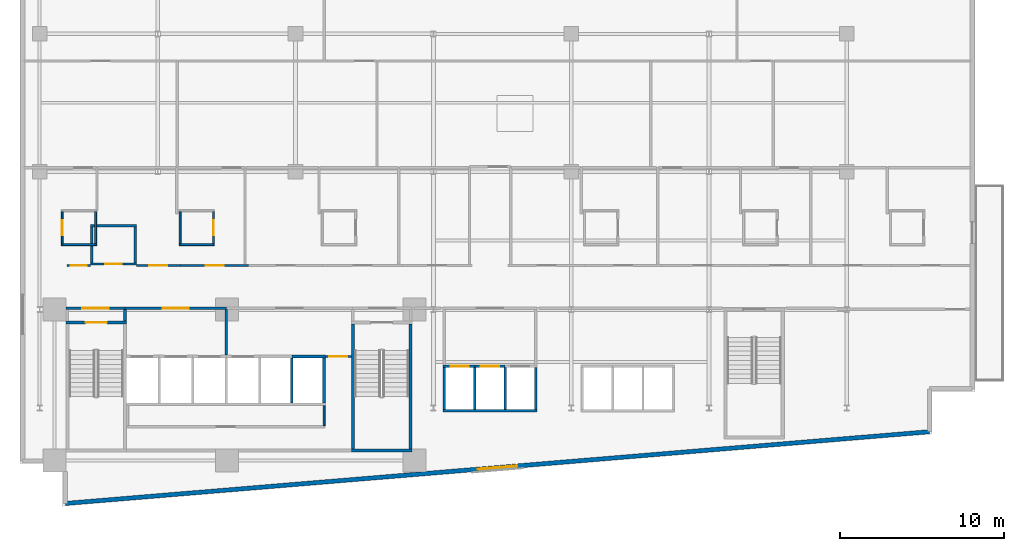
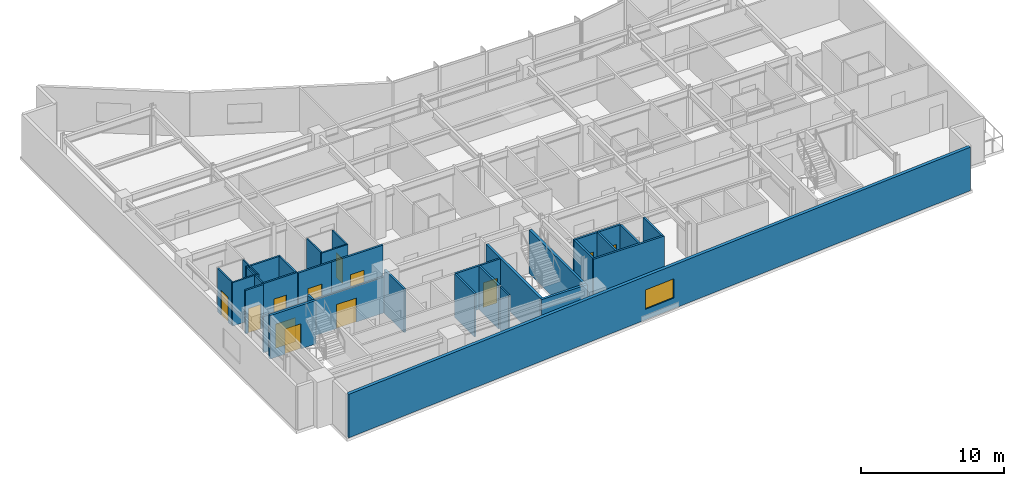
# One storey, part 10 of 19: 34 walls, 12 doors, 1 window, 13 openings.
"""IFC4 building model written with IfcOpenShell, lengths in metres."""

from ifc_helpers import new_model, si_unit, direction, frame, frame_2d, origin, place, context, subcontext, project, spatial, rectangle, extrude, material, layer, layer_set, type_object, element, fill, save


model = new_model("IFC4")

# Units and contexts
model_context = context("Model", 3, precision=1e-05, world=origin(), true_north=direction((0.0, 1.0)))
body_context = subcontext(model_context, "Body", "Model", "MODEL_VIEW")
ifc_project = project(units=[si_unit("LENGTHUNIT", "METRE"), si_unit("AREAUNIT", "SQUARE_METRE"), si_unit("VOLUMEUNIT", "CUBIC_METRE"), si_unit("PLANEANGLEUNIT", "RADIAN"), si_unit("MASSUNIT", "GRAM", prefix="KILO")], contexts=[model_context])

# Site, building, storey
site_placement = place(None, origin())
site = spatial("IfcSite", under=ifc_project, at=site_placement, CompositionType="ELEMENT")
building_placement = place(site_placement, origin())
building = spatial("IfcBuilding", under=site, at=building_placement, Name="Varnakote Quay Hospital", CompositionType="ELEMENT")
storey_placement = place(building_placement, frame((0.0, 0.0, 89.64990234375)))
storey = spatial("IfcBuildingStorey", under=building, at=storey_placement, Name="L22", CompositionType="ELEMENT", Elevation=89.64990234375)

# Wall, opening, door
ifc_material_1 = material(Name="Fire-rated acoustic gypsum stud wall", Category="gypsum")
ifc_layer_1 = layer(ifc_material_1, 0.159912109375)
ifc_layer_set_1 = layer_set([ifc_layer_1], Name="Fire-rated acoustic gypsum stud wall")
wall_type_1 = type_object("IfcWallType", Name="WL-COMP-160", PredefinedType="PARTITIONING", material=ifc_layer_set_1)
wall_1_placement = place(storey_placement, frame((2.800048828125, 12.080078125, 0.0), z_axis=(0.0, 0.0, 1.0), x_axis=(1.0, 0.0, 0.0)))
wall_1 = element("IfcWall", 1, at=wall_1_placement, inside=storey, type_object=wall_type_1, Name="L22 West Stair Vestibule Smoke Wall", PredefinedType="PARTITIONING", context=body_context, shape_type="SweptSolid", body=[
    extrude(rectangle(XDim=3.599853515625, YDim=0.159912109375, at=frame_2d((1.7998046875, 0.0))), origin(), (0.0, 0.0, 1.0), 3.072998046875),
])
opening_1_placement = place(wall_1_placement, frame((1.0, 0.0, 0.0)))
opening_1 = element("IfcOpeningElement", 2, at=opening_1_placement, cuts=wall_1, Name="Opening D-ST1L-L22", PredefinedType="OPENING", context=body_context, shape_type="SweptSolid", body=[
    extrude(rectangle(XDim=1.60009765625, YDim=2.050048828125, at=frame_2d((0.800048828125, 1.02490234375))), frame((0.0, 0.08984375, 0.0), z_axis=(0.0, -1.0, 0.0), x_axis=(1.0, 0.0, 0.0)), (0.0, 0.0, 1.0), 0.179931640625),
])
ifc_material_2 = material(Name="Fire-rated double smoke lobby door")
door_type_1 = type_object("IfcDoorType", Name="DR-LOBBY-FD60S-1600x2150", OperationType="NOTDEFINED", PredefinedType="DOOR", material=ifc_material_2)
door_1_placement = place(opening_1_placement, origin())
door_1 = element("IfcDoor", 3, at=door_1_placement, inside=storey, type_object=door_type_1, Name="L22 West Stair Vestibule Smoke Door", OperationType="DOUBLE_DOOR_SINGLE_SWING", OverallHeight=2.050048828125, OverallWidth=1.60009765625, PredefinedType="DOOR", context=body_context, shape_type="SweptSolid", body=[
    extrude(rectangle(XDim=1.60009765625, YDim=2.050048828125, at=frame_2d((0.800048828125, 1.02490234375))), frame((0.0, 0.02490234375, 0.0), z_axis=(0.0, -1.0, 0.0), x_axis=(1.0, 0.0, 0.0)), (0.0, 0.0, 1.0), 0.050048828125),
])
fill(opening_1, door_1)

# Wall
wall_2_placement = place(storey_placement, frame((6.39990234375, 11.300048828125, 0.0), z_axis=(0.0, 0.0, 1.0), x_axis=(0.0, 1.0, 0.0)))
element("IfcWall", 4, at=wall_2_placement, inside=storey, type_object=wall_type_1, Name="L22 Firefighting Lobby West Wall", PredefinedType="PARTITIONING", context=body_context, shape_type="SweptSolid", body=[
    extrude(rectangle(XDim=0.699951171875, YDim=0.159912109375, at=frame_2d((0.35009765625, 0.0))), origin(), (0.0, 0.0, 1.0), 3.710205078125),
])

# Wall, opening, door
wall_3_placement = place(storey_placement, frame((6.39990234375, 12.080078125, 0.0), z_axis=(0.0, 0.0, 1.0), x_axis=(1.0, 0.0, 0.0)))
wall_3 = element("IfcWall", 5, at=wall_3_placement, inside=storey, type_object=wall_type_1, Name="L22 Firefighting Lift Lobby Compartment Wall", PredefinedType="PARTITIONING", context=body_context, shape_type="SweptSolid", body=[
    extrude(rectangle(XDim=6.18017578125, YDim=0.159912109375, at=frame_2d((3.090087890625, 0.0))), origin(), (0.0, 0.0, 1.0), 3.072998046875),
])
opening_2_placement = place(wall_3_placement, frame((2.2900390625, 0.0, 0.0)))
opening_2 = element("IfcOpeningElement", 6, at=opening_2_placement, cuts=wall_3, Name="Opening D-FFL-L22", PredefinedType="OPENING", context=body_context, shape_type="SweptSolid", body=[
    extrude(rectangle(XDim=1.60009765625, YDim=2.050048828125, at=frame_2d((0.800048828125, 1.02490234375))), frame((0.0, 0.08984375, 0.0), z_axis=(0.0, -1.0, 0.0), x_axis=(1.0, 0.0, 0.0)), (0.0, 0.0, 1.0), 0.179931640625),
])
door_2_placement = place(opening_2_placement, origin())
door_2 = element("IfcDoor", 7, at=door_2_placement, inside=storey, type_object=door_type_1, Name="L22 Firefighting Smoke Vestibule Door", OperationType="DOUBLE_DOOR_SINGLE_SWING", OverallHeight=2.050048828125, OverallWidth=1.60009765625, PredefinedType="DOOR", context=body_context, shape_type="SweptSolid", body=[
    extrude(rectangle(XDim=1.60009765625, YDim=2.050048828125, at=frame_2d((0.800048828125, 1.02490234375))), frame((0.0, 0.02490234375, 0.0), z_axis=(0.0, -1.0, 0.0), x_axis=(1.0, 0.0, 0.0)), (0.0, 0.0, 1.0), 0.050048828125),
])
fill(opening_2, door_2)

# Walls
wall_4_placement = place(storey_placement, frame((12.580078125, 9.2099609375, 0.0), z_axis=(0.0, 0.0, 1.0), x_axis=(0.0, 1.0, 0.0)))
element("IfcWall", 8, at=wall_4_placement, inside=storey, type_object=wall_type_1, Name="L22 Firefighting to Service Lobby Wall", PredefinedType="PARTITIONING", context=body_context, shape_type="SweptSolid", body=[
    extrude(rectangle(XDim=2.7900390625, YDim=0.159912109375, at=frame_2d((1.39501953125, 0.0))), origin(), (0.0, 0.0, 1.0), 3.710205078125),
])
ifc_material_3 = material(Name="Moisture-resistant bathroom partition", Category="gypsum")
ifc_layer_2 = layer(ifc_material_3, 0.114990234375)
ifc_layer_set_2 = layer_set([ifc_layer_2], Name="Moisture-resistant bathroom partition")
wall_type_2 = type_object("IfcWallType", Name="WL-ENS-115", PredefinedType="PARTITIONING", material=ifc_layer_set_2)
wall_5_placement = place(storey_placement, frame((2.514892578125, 15.952392578125, 0.0), z_axis=(0.0, 0.0, 1.0), x_axis=(1.0, 0.0, 0.0)))
element("IfcWall", 9, at=wall_5_placement, inside=storey, type_object=wall_type_2, Name="L22 Inpatient En-Suite Bathroom 01 S Wall", PredefinedType="PARTITIONING", context=body_context, shape_type="SweptSolid", body=[
    extrude(rectangle(XDim=2.150146484375, YDim=0.114990234375, at=frame_2d((1.0751953125, 0.0))), origin(), (0.0, 0.0, 1.0), 3.710205078125),
])

# Wall, opening, door
wall_6_placement = place(storey_placement, frame((2.572509765625, 16.010009765625, 0.0), z_axis=(0.0, 0.0, 1.0), x_axis=(0.0, 1.0, 0.0)))
wall_6 = element("IfcWall", 10, at=wall_6_placement, inside=storey, type_object=wall_type_2, Name="L22 Inpatient En-Suite Bathroom 01 W Wall", PredefinedType="PARTITIONING", context=body_context, shape_type="SweptSolid", body=[
    extrude(rectangle(XDim=1.949951171875, YDim=0.114990234375, at=frame_2d((0.97509765625, 0.0))), origin(), (0.0, 0.0, 1.0), 3.710205078125),
])
opening_3_placement = place(wall_6_placement, frame((0.514892578125, 0.0, 0.0)))
opening_3 = element("IfcOpeningElement", 11, at=opening_3_placement, cuts=wall_6, Name="Opening D-L22-ENS01", PredefinedType="OPENING", context=body_context, shape_type="SweptSolid", body=[
    extrude(rectangle(XDim=0.919921875, YDim=2.10009765625, at=frame_2d((0.4599609375, 1.050048828125))), frame((0.0, 0.0673828125, 0.0), z_axis=(0.0, -1.0, 0.0), x_axis=(1.0, 0.0, 0.0)), (0.0, 0.0, 1.0), 0.135009765625),
])
ifc_material_4 = material(Name="Moisture-sealed en-suite bathroom door")
door_type_2 = type_object("IfcDoorType", Name="DR-ENS-920x2100", OperationType="NOTDEFINED", PredefinedType="DOOR", material=ifc_material_4)
door_3_placement = place(opening_3_placement, origin())
door_3 = element("IfcDoor", 12, at=door_3_placement, inside=storey, type_object=door_type_2, Name="L22 Inpatient En-Suite Bathroom 01 Door", OperationType="SINGLE_SWING_LEFT", OverallHeight=2.10009765625, OverallWidth=0.919921875, PredefinedType="DOOR", context=body_context, shape_type="SweptSolid", body=[
    extrude(rectangle(XDim=0.919921875, YDim=2.10009765625, at=frame_2d((0.4599609375, 1.050048828125))), frame((0.0, 0.02490234375, 0.0), z_axis=(0.0, -1.0, 0.0), x_axis=(1.0, 0.0, 0.0)), (0.0, 0.0, 1.0), 0.050048828125),
])
fill(opening_3, door_3)

# Walls
wall_7_placement = place(storey_placement, frame((4.607421875, 16.010009765625, 0.0), z_axis=(0.0, 0.0, 1.0), x_axis=(0.0, 1.0, 0.0)))
element("IfcWall", 13, at=wall_7_placement, inside=storey, type_object=wall_type_2, Name="L22 Inpatient En-Suite Bathroom 01 E Wall", PredefinedType="PARTITIONING", context=body_context, shape_type="SweptSolid", body=[
    extrude(rectangle(XDim=1.949951171875, YDim=0.114990234375, at=frame_2d((0.97509765625, 0.0))), origin(), (0.0, 0.0, 1.0), 3.710205078125),
])
wall_8_placement = place(storey_placement, frame((9.705078125, 15.952392578125, 0.0), z_axis=(0.0, 0.0, 1.0), x_axis=(1.0, 0.0, 0.0)))
element("IfcWall", 14, at=wall_8_placement, inside=storey, type_object=wall_type_2, Name="L22 Inpatient En-Suite Bathroom 02 S Wall", PredefinedType="PARTITIONING", context=body_context, shape_type="SweptSolid", body=[
    extrude(rectangle(XDim=2.14990234375, YDim=0.114990234375, at=frame_2d((1.074951171875, 0.0))), origin(), (0.0, 0.0, 1.0), 3.710205078125),
])
wall_9_placement = place(storey_placement, frame((9.762451171875, 16.010009765625, 0.0), z_axis=(0.0, 0.0, 1.0), x_axis=(0.0, 1.0, 0.0)))
element("IfcWall", 15, at=wall_9_placement, inside=storey, type_object=wall_type_2, Name="L22 Inpatient En-Suite Bathroom 02 W Wall", PredefinedType="PARTITIONING", context=body_context, shape_type="SweptSolid", body=[
    extrude(rectangle(XDim=1.949951171875, YDim=0.114990234375, at=frame_2d((0.97509765625, 0.0))), origin(), (0.0, 0.0, 1.0), 3.710205078125),
])

# Wall, opening, door
wall_10_placement = place(storey_placement, frame((11.797607421875, 16.010009765625, 0.0), z_axis=(0.0, 0.0, 1.0), x_axis=(0.0, 1.0, 0.0)))
wall_10 = element("IfcWall", 16, at=wall_10_placement, inside=storey, type_object=wall_type_2, Name="L22 Inpatient En-Suite Bathroom 02 E Wall", PredefinedType="PARTITIONING", context=body_context, shape_type="SweptSolid", body=[
    extrude(rectangle(XDim=1.949951171875, YDim=0.114990234375, at=frame_2d((0.97509765625, 0.0))), origin(), (0.0, 0.0, 1.0), 3.710205078125),
])
opening_4_placement = place(wall_10_placement, frame((0.514892578125, 0.0, 0.0)))
opening_4 = element("IfcOpeningElement", 17, at=opening_4_placement, cuts=wall_10, Name="Opening D-L22-ENS02", PredefinedType="OPENING", context=body_context, shape_type="SweptSolid", body=[
    extrude(rectangle(XDim=0.919921875, YDim=2.10009765625, at=frame_2d((0.4599609375, 1.050048828125))), frame((0.0, 0.0673828125, 0.0), z_axis=(0.0, -1.0, 0.0), x_axis=(1.0, 0.0, 0.0)), (0.0, 0.0, 1.0), 0.135009765625),
])
door_4_placement = place(opening_4_placement, origin())
door_4 = element("IfcDoor", 18, at=door_4_placement, inside=storey, type_object=door_type_2, Name="L22 Inpatient En-Suite Bathroom 02 Door", OperationType="SINGLE_SWING_RIGHT", OverallHeight=2.10009765625, OverallWidth=0.919921875, PredefinedType="DOOR", context=body_context, shape_type="SweptSolid", body=[
    extrude(rectangle(XDim=0.919921875, YDim=2.10009765625, at=frame_2d((0.4599609375, 1.050048828125))), frame((0.0, 0.02490234375, 0.0), z_axis=(0.0, -1.0, 0.0), x_axis=(1.0, 0.0, 0.0)), (0.0, 0.0, 1.0), 0.050048828125),
])
fill(opening_4, door_4)

# Wall, opening, window
ifc_material_5 = material(Name="Precast concrete N50 (f'c 50 MPa)", Category="concrete")
ifc_layer_3 = layer(ifc_material_5, 0.260009765625)
ifc_layer_set_3 = layer_set([ifc_layer_3], Name="Precast concrete N50 (f'c 50 MPa)")
wall_type_3 = type_object("IfcWallType", Name="WL-EXT-BRICK-260", PredefinedType="STANDARD", material=ifc_layer_set_3)
wall_11_placement = place(storey_placement, frame((2.760009765625, 0.173828125, 0.0), z_axis=(0.0, 0.0, 1.0), x_axis=(0.996571478456, 0.082736257641, 0.0)))
wall_11 = element("IfcWall", 19, at=wall_11_placement, inside=storey, type_object=wall_type_3, Name="L22 Brick-Faced Precast Exterior Wall", PredefinedType="STANDARD", context=body_context, shape_type="SweptSolid", body=[
    extrude(rectangle(XDim=52.861083984375, YDim=0.260009765625, at=frame_2d((26.4306640625, 0.0))), origin(), (0.0, 0.0, 1.0), 3.710205078125),
])
opening_5_placement = place(wall_11_placement, frame((25.230712890625, 0.0, 0.89990234375)))
opening_5 = element("IfcOpeningElement", 20, at=opening_5_placement, cuts=wall_11, Name="Opening WN-0102", PredefinedType="OPENING", context=body_context, shape_type="SweptSolid", body=[
    extrude(rectangle(XDim=2.39990234375, YDim=1.64990234375, at=frame_2d((1.199951171875, 0.824951171875))), frame((0.0, 0.139892578125, 0.0), z_axis=(0.0, -1.0, 0.0), x_axis=(1.0, 0.0, 0.0)), (0.0, 0.0, 1.0), 0.280029296875),
])
ifc_material_6 = material(Name="Double-glazed low-E solar glass", Category="glass")
window_type = type_object("IfcWindowType", Name="WIN-CLIN-2400x1650", PartitioningType="SINGLE_PANEL", PredefinedType="WINDOW", material=ifc_material_6)
window_placement = place(opening_5_placement, origin())
window = element("IfcWindow", 21, at=window_placement, inside=storey, type_object=window_type, Name="L22 Solar-Control Clinical Window", OverallHeight=1.64990234375, OverallWidth=2.39990234375, PartitioningType="SINGLE_PANEL", PredefinedType="WINDOW", context=body_context, shape_type="SweptSolid", body=[
    extrude(rectangle(XDim=2.39990234375, YDim=1.64990234375, at=frame_2d((1.199951171875, 0.824951171875))), frame((0.0, 0.030029296875, 0.0), z_axis=(0.0, -1.0, 0.0), x_axis=(1.0, 0.0, 0.0)), (0.0, 0.0, 1.0), 0.06005859375),
])
fill(opening_5, window)

# Walls
ifc_material_7 = material(Name="Concrete N50 (f'c 50 MPa)", Category="concrete")
ifc_layer_4 = layer(ifc_material_7, 0.14990234375)
ifc_layer_set_4 = layer_set([ifc_layer_4], Name="Concrete N50 (f'c 50 MPa)")
wall_type_4 = type_object("IfcWallType", Name="WL-SHAFT-N50-150", PredefinedType="SHEAR", material=ifc_layer_set_4)
wall_12_placement = place(storey_placement, frame((16.574951171875, 6.300048828125, 0.0), z_axis=(0.0, 0.0, 1.0), x_axis=(0.0, 1.0, 0.0)))
element("IfcWall", 22, at=wall_12_placement, inside=storey, type_object=wall_type_4, Name="L22 LF-PH1 Hoistway Divider Wall", PredefinedType="SHEAR", context=body_context, shape_type="SweptSolid", body=[
    extrude(rectangle(XDim=2.75, YDim=0.14990234375, at=frame_2d((1.375, 0.0))), origin(), (0.0, 0.0, 1.0), 3.710205078125),
])
for number, where, z_axis, x_axis, name in (
    (23, (27.72509765625, 5.89990234375, 0.0), (0.0, 0.0, 1.0), (0.0, 1.0, 0.0), "L22 LF-PL1 Hoistway Divider Wall"),
    (24, (29.574951171875, 5.89990234375, 0.0), (0.0, 0.0, 1.0), (0.0, 1.0, 0.0), "L22 LF-PL2 Hoistway Divider Wall"),
):
    element("IfcWall", number, at=place(storey_placement, frame(where, z_axis=z_axis, x_axis=x_axis)), inside=storey, type_object=wall_type_4, Name=name, PredefinedType="SHEAR", context=body_context, shape_type="SweptSolid", body=[
        extrude(rectangle(XDim=2.550048828125, YDim=0.14990234375, at=frame_2d((1.27490234375, 0.0))), origin(), (0.0, 0.0, 1.0), 3.710205078125),
    ])
ifc_material_8 = material(Name="Concrete N50 (f'c 50 MPa)", Category="concrete")
ifc_layer_5 = layer(ifc_material_8, 0.159912109375)
ifc_layer_set_5 = layer_set([ifc_layer_5], Name="Concrete N50 (f'c 50 MPa)")
wall_type_5 = type_object("IfcWallType", Name="WL-SHAFT-N50-160", PredefinedType="SHEAR", material=ifc_layer_set_5)
wall_13_placement = place(storey_placement, frame((18.530029296875, 6.300048828125, 0.0), z_axis=(0.0, 0.0, 1.0), x_axis=(0.0, 1.0, 0.0)))
element("IfcWall", 25, at=wall_13_placement, inside=storey, type_object=wall_type_5, Name="L22 REAR Lift Bank East Shear Wall", PredefinedType="SHEAR", context=body_context, shape_type="SweptSolid", body=[
    extrude(rectangle(XDim=2.75, YDim=0.159912109375, at=frame_2d((1.375, 0.0))), origin(), (0.0, 0.0, 1.0), 3.710205078125),
])
wall_14_placement = place(storey_placement, frame((16.574951171875, 9.1298828125, 0.0), z_axis=(0.0, 0.0, 1.0), x_axis=(1.0, 0.0, 0.0)))
element("IfcWall", 26, at=wall_14_placement, inside=storey, type_object=wall_type_5, Name="L22 LF-PH2 Hoistway Front Wall", PredefinedType="SHEAR", context=body_context, shape_type="SweptSolid", body=[
    extrude(rectangle(XDim=2.03515625, YDim=0.159912109375, at=frame_2d((1.017578125, 0.0))), origin(), (0.0, 0.0, 1.0), 3.710205078125),
])
wall_15_placement = place(storey_placement, frame((25.7900390625, 5.820068359375, 0.0), z_axis=(0.0, 0.0, 1.0), x_axis=(1.0, 0.0, 0.0)))
element("IfcWall", 27, at=wall_15_placement, inside=storey, type_object=wall_type_5, Name="L22 LOW Lift Bank Back Shear Wall", PredefinedType="SHEAR", context=body_context, shape_type="SweptSolid", body=[
    extrude(rectangle(XDim=5.719970703125, YDim=0.159912109375, at=frame_2d((2.85986328125, 0.0))), origin(), (0.0, 0.0, 1.0), 3.710205078125),
])
for number, where, z_axis, x_axis, name in (
    (28, (25.8701171875, 5.89990234375, 0.0), (0.0, 0.0, 1.0), (0.0, 1.0, 0.0), "L22 LOW Lift Bank West Shear Wall"),
    (29, (31.429931640625, 5.89990234375, 0.0), (0.0, 0.0, 1.0), (0.0, 1.0, 0.0), "L22 LOW Lift Bank East Shear Wall"),
):
    element("IfcWall", number, at=place(storey_placement, frame(where, z_axis=z_axis, x_axis=x_axis)), inside=storey, type_object=wall_type_5, Name=name, PredefinedType="SHEAR", context=body_context, shape_type="SweptSolid", body=[
        extrude(rectangle(XDim=2.550048828125, YDim=0.159912109375, at=frame_2d((1.27490234375, 0.0))), origin(), (0.0, 0.0, 1.0), 3.710205078125),
    ])

# Wall, opening, door
wall_16_placement = place(storey_placement, frame((25.7900390625, 8.530029296875, 0.0), z_axis=(0.0, 0.0, 1.0), x_axis=(1.0, 0.0, 0.0)))
wall_16 = element("IfcWall", 30, at=wall_16_placement, inside=storey, type_object=wall_type_5, Name="L22 LF-PL1 Hoistway Front Wall", PredefinedType="SHEAR", context=body_context, shape_type="SweptSolid", body=[
    extrude(rectangle(XDim=1.93505859375, YDim=0.159912109375, at=frame_2d((0.967529296875, 0.0))), origin(), (0.0, 0.0, 1.0), 3.710205078125),
])
opening_6_placement = place(wall_16_placement, frame((0.4599609375, 0.0, 0.0)))
opening_6 = element("IfcOpeningElement", 31, at=opening_6_placement, cuts=wall_16, Name="Opening LD-PL1-L22", PredefinedType="OPENING", context=body_context, shape_type="SweptSolid", body=[
    extrude(rectangle(XDim=1.10009765625, YDim=2.14990234375, at=frame_2d((0.550048828125, 1.074951171875))), frame((0.0, 0.08984375, 0.0), z_axis=(0.0, -1.0, 0.0), x_axis=(1.0, 0.0, 0.0)), (0.0, 0.0, 1.0), 0.179931640625),
])
ifc_material_9 = material(Name="Brushed bronze lift landing sliding door")
door_type_3 = type_object("IfcDoorType", Name="DR-LIFT-LD-1100x2150", OperationType="NOTDEFINED", PredefinedType="DOOR", material=ifc_material_9)
door_5_placement = place(opening_6_placement, origin())
door_5 = element("IfcDoor", 32, at=door_5_placement, inside=storey, type_object=door_type_3, Name="L22 LF-PL1 Lift Landing Sliding Door", OperationType="SLIDING_TO_LEFT", OverallHeight=2.14990234375, OverallWidth=1.10009765625, PredefinedType="DOOR", context=body_context, shape_type="SweptSolid", body=[
    extrude(rectangle(XDim=1.10009765625, YDim=2.14990234375, at=frame_2d((0.550048828125, 1.074951171875))), frame((0.0, 0.02490234375, 0.0), z_axis=(0.0, -1.0, 0.0), x_axis=(1.0, 0.0, 0.0)), (0.0, 0.0, 1.0), 0.050048828125),
])
fill(opening_6, door_5)

wall_17_placement = place(storey_placement, frame((27.72509765625, 8.530029296875, 0.0), z_axis=(0.0, 0.0, 1.0), x_axis=(1.0, 0.0, 0.0)))
wall_17 = element("IfcWall", 33, at=wall_17_placement, inside=storey, type_object=wall_type_5, Name="L22 LF-PL2 Hoistway Front Wall", PredefinedType="SHEAR", context=body_context, shape_type="SweptSolid", body=[
    extrude(rectangle(XDim=1.849853515625, YDim=0.159912109375, at=frame_2d((0.9248046875, 0.0))), origin(), (0.0, 0.0, 1.0), 3.710205078125),
])
opening_7_placement = place(wall_17_placement, frame((0.375, 0.0, 0.0)))
opening_7 = element("IfcOpeningElement", 34, at=opening_7_placement, cuts=wall_17, Name="Opening LD-PL2-L22", PredefinedType="OPENING", context=body_context, shape_type="SweptSolid", body=[
    extrude(rectangle(XDim=1.10009765625, YDim=2.14990234375, at=frame_2d((0.550048828125, 1.074951171875))), frame((0.0, 0.08984375, 0.0), z_axis=(0.0, -1.0, 0.0), x_axis=(1.0, 0.0, 0.0)), (0.0, 0.0, 1.0), 0.179931640625),
])
door_6_placement = place(opening_7_placement, origin())
door_6 = element("IfcDoor", 35, at=door_6_placement, inside=storey, type_object=door_type_3, Name="L22 LF-PL2 Lift Landing Sliding Door", OperationType="SLIDING_TO_LEFT", OverallHeight=2.14990234375, OverallWidth=1.10009765625, PredefinedType="DOOR", context=body_context, shape_type="SweptSolid", body=[
    extrude(rectangle(XDim=1.10009765625, YDim=2.14990234375, at=frame_2d((0.550048828125, 1.074951171875))), frame((0.0, 0.02490234375, 0.0), z_axis=(0.0, -1.0, 0.0), x_axis=(1.0, 0.0, 0.0)), (0.0, 0.0, 1.0), 0.050048828125),
])
fill(opening_7, door_6)

ifc_material_10 = material(Name="Concrete N50 (f'c 50 MPa)", Category="concrete")
ifc_layer_6 = layer(ifc_material_10, 0.199951171875)
ifc_layer_set_6 = layer_set([ifc_layer_6], Name="Concrete N50 (f'c 50 MPa)")
wall_type_6 = type_object("IfcWallType", Name="WL-SHAFT-N50-200", PredefinedType="SHEAR", material=ifc_layer_set_6)
wall_18_placement = place(storey_placement, frame((2.800048828125, 11.199951171875, 0.0), z_axis=(0.0, 0.0, 1.0), x_axis=(1.0, 0.0, 0.0)))
wall_18 = element("IfcWall", 36, at=wall_18_placement, inside=storey, type_object=wall_type_6, Name="L22 Stair ST1 Exit Wall", PredefinedType="SHEAR", context=body_context, shape_type="SweptSolid", body=[
    extrude(rectangle(XDim=3.699951171875, YDim=0.199951171875, at=frame_2d((1.85009765625, 0.0))), origin(), (0.0, 0.0, 1.0), 3.710205078125),
])
opening_8_placement = place(wall_18_placement, frame((1.199951171875, 0.0, 0.0)))
opening_8 = element("IfcOpeningElement", 37, at=opening_8_placement, cuts=wall_18, Name="Opening D-ST1-L22", PredefinedType="OPENING", context=body_context, shape_type="SweptSolid", body=[
    extrude(rectangle(XDim=1.300048828125, YDim=2.14990234375, at=frame_2d((0.64990234375, 1.074951171875))), frame((0.0, 0.10986328125, 0.0), z_axis=(0.0, -1.0, 0.0), x_axis=(1.0, 0.0, 0.0)), (0.0, 0.0, 1.0), 0.219970703125),
])
ifc_material_11 = material(Name="Fire-rated ceramic-glazed timber exit door", Category="wood")
door_type_4 = type_object("IfcDoorType", Name="DR-STAIR-FD60S-1300x2150", OperationType="NOTDEFINED", PredefinedType="DOOR", material=ifc_material_11)
door_7_placement = place(opening_8_placement, origin())
door_7 = element("IfcDoor", 38, at=door_7_placement, inside=storey, type_object=door_type_4, Name="L22 Stair ST1 Fire Exit Door", OperationType="SINGLE_SWING_LEFT", OverallHeight=2.14990234375, OverallWidth=1.300048828125, PredefinedType="DOOR", context=body_context, shape_type="SweptSolid", body=[
    extrude(rectangle(XDim=1.300048828125, YDim=2.14990234375, at=frame_2d((0.64990234375, 1.074951171875))), frame((0.0, 0.02490234375, 0.0), z_axis=(0.0, -1.0, 0.0), x_axis=(1.0, 0.0, 0.0)), (0.0, 0.0, 1.0), 0.050048828125),
])
fill(opening_8, door_7)

# Walls
wall_19_placement = place(storey_placement, frame((20.199951171875, 3.39990234375, 0.0), z_axis=(0.0, 0.0, 1.0), x_axis=(1.0, 0.0, 0.0)))
element("IfcWall", 39, at=wall_19_placement, inside=storey, type_object=wall_type_6, Name="L22 Stair ST2 South Shaft Wall", PredefinedType="SHEAR", context=body_context, shape_type="SweptSolid", body=[
    extrude(rectangle(XDim=3.699951171875, YDim=0.199951171875, at=frame_2d((1.85009765625, 0.0))), origin(), (0.0, 0.0, 1.0), 3.710205078125),
])
for number, where, z_axis, x_axis, name in (
    (40, (20.300048828125, 3.5, 0.0), (0.0, 0.0, 1.0), (0.0, 1.0, 0.0), "L22 Stair ST2 West Shaft Wall"),
    (41, (23.800048828125, 3.5, 0.0), (0.0, 0.0, 1.0), (0.0, 1.0, 0.0), "L22 Stair ST2 East Shaft Wall"),
):
    element("IfcWall", number, at=place(storey_placement, frame(where, z_axis=z_axis, x_axis=x_axis)), inside=storey, type_object=wall_type_6, Name=name, PredefinedType="SHEAR", context=body_context, shape_type="SweptSolid", body=[
        extrude(rectangle(XDim=7.60009765625, YDim=0.199951171875, at=frame_2d((3.800048828125, 0.0))), origin(), (0.0, 0.0, 1.0), 3.710205078125),
    ])
ifc_material_12 = material(Name="Smoke-proof clinical partition", Category="gypsum")
ifc_layer_7 = layer(ifc_material_12, 0.1201171875)
ifc_layer_set_7 = layer_set([ifc_layer_7], Name="Smoke-proof clinical partition")
wall_type_7 = type_object("IfcWallType", Name="WL-SMOKE-120", PredefinedType="PARTITIONING", material=ifc_layer_set_7)
wall_20_placement = place(storey_placement, frame((18.5400390625, 4.919921875, 0.0), z_axis=(0.0, 0.0, 1.0), x_axis=(0.0, 1.0, 0.0)))
element("IfcWall", 42, at=wall_20_placement, inside=storey, type_object=wall_type_7, Name="L22 Core Service Strip East Wall", PredefinedType="PARTITIONING", context=body_context, shape_type="SweptSolid", body=[
    extrude(rectangle(XDim=1.219970703125, YDim=0.1201171875, at=frame_2d((0.60986328125, 0.0))), origin(), (0.0, 0.0, 1.0), 3.710205078125),
])

# Wall, opening, door
ifc_material_13 = material(Name="Fire-rated clinical gypsum partition", Category="gypsum")
ifc_layer_8 = layer(ifc_material_13, 0.139892578125)
ifc_layer_set_8 = layer_set([ifc_layer_8], Name="Fire-rated clinical gypsum partition")
wall_type_8 = type_object("IfcWallType", Name="WL-WARD-140", PredefinedType="PARTITIONING", material=ifc_layer_set_8)
wall_21_placement = place(storey_placement, frame((18.610107421875, 9.1298828125, 0.0), z_axis=(0.0, 0.0, 1.0), x_axis=(1.0, 0.0, 0.0)))
wall_21 = element("IfcWall", 43, at=wall_21_placement, inside=storey, type_object=wall_type_8, Name="L22 Core Service Corridor North Door Wall", PredefinedType="PARTITIONING", context=body_context, shape_type="SweptSolid", body=[
    extrude(rectangle(XDim=1.58984375, YDim=0.139892578125, at=frame_2d((0.794921875, 0.0))), origin(), (0.0, 0.0, 1.0), 3.710205078125),
])
opening_9_placement = place(wall_21_placement, frame((0.239990234375, 0.0, 0.0)))
opening_9 = element("IfcOpeningElement", 44, at=opening_9_placement, cuts=wall_21, Name="Opening D-CSRV-L22", PredefinedType="OPENING", context=body_context, shape_type="SweptSolid", body=[
    extrude(rectangle(XDim=1.10009765625, YDim=2.10009765625, at=frame_2d((0.550048828125, 1.050048828125))), frame((0.0, 0.079833984375, 0.0), z_axis=(0.0, -1.0, 0.0), x_axis=(1.0, 0.0, 0.0)), (0.0, 0.0, 1.0), 0.159912109375),
])
ifc_material_14 = material(Name="Acoustic timber clinical consult door", Category="wood")
door_type_5 = type_object("IfcDoorType", Name="DR-CLIN-FD30S-1100x2100", OperationType="NOTDEFINED", PredefinedType="DOOR", material=ifc_material_14)
door_8_placement = place(opening_9_placement, origin())
door_8 = element("IfcDoor", 45, at=door_8_placement, inside=storey, type_object=door_type_5, Name="L22 Core Service Corridor Door", OperationType="SINGLE_SWING_LEFT", OverallHeight=2.10009765625, OverallWidth=1.10009765625, PredefinedType="DOOR", context=body_context, shape_type="SweptSolid", body=[
    extrude(rectangle(XDim=1.10009765625, YDim=2.10009765625, at=frame_2d((0.550048828125, 1.050048828125))), frame((0.0, 0.02490234375, 0.0), z_axis=(0.0, -1.0, 0.0), x_axis=(1.0, 0.0, 0.0)), (0.0, 0.0, 1.0), 0.050048828125),
])
fill(opening_9, door_8)

wall_22_placement = place(storey_placement, frame((4.31005859375, 14.77001953125, 0.0), z_axis=(0.0, 0.0, 1.0), x_axis=(1.0, 0.0, 0.0)))
wall_22 = element("IfcWall", 46, at=wall_22_placement, inside=storey, type_object=wall_type_8, Name="L22 Floor Unisex Accessible WC S Wall", PredefinedType="PARTITIONING", context=body_context, shape_type="SweptSolid", body=[
    extrude(rectangle(XDim=2.780029296875, YDim=0.139892578125, at=frame_2d((1.39013671875, 0.0))), origin(), (0.0, 0.0, 1.0), 3.710205078125),
])
opening_10_placement = place(wall_22_placement, frame((0.89990234375, 0.0, 0.0)))
opening_10 = element("IfcOpeningElement", 47, at=opening_10_placement, cuts=wall_22, Name="Opening D-L22-EW01", PredefinedType="OPENING", context=body_context, shape_type="SweptSolid", body=[
    extrude(rectangle(XDim=0.97998046875, YDim=2.10009765625, at=frame_2d((0.489990234375, 1.050048828125))), frame((0.0, 0.079833984375, 0.0), z_axis=(0.0, -1.0, 0.0), x_axis=(1.0, 0.0, 0.0)), (0.0, 0.0, 1.0), 0.159912109375),
])
ifc_material_15 = material(Name="Accessible sanitary compartment door")
door_type_6 = type_object("IfcDoorType", Name="DR-WC-980x2100", OperationType="NOTDEFINED", PredefinedType="DOOR", material=ifc_material_15)
door_9_placement = place(opening_10_placement, origin())
door_9 = element("IfcDoor", 48, at=door_9_placement, inside=storey, type_object=door_type_6, Name="L22 Floor Unisex Accessible WC Door", OperationType="SINGLE_SWING_RIGHT", OverallHeight=2.10009765625, OverallWidth=0.97998046875, PredefinedType="DOOR", context=body_context, shape_type="SweptSolid", body=[
    extrude(rectangle(XDim=0.97998046875, YDim=2.10009765625, at=frame_2d((0.489990234375, 1.050048828125))), frame((0.0, 0.02490234375, 0.0), z_axis=(0.0, -1.0, 0.0), x_axis=(1.0, 0.0, 0.0)), (0.0, 0.0, 1.0), 0.050048828125),
])
fill(opening_10, door_9)

# Walls
wall_23_placement = place(storey_placement, frame((4.31005859375, 17.110107421875, 0.0), z_axis=(0.0, 0.0, 1.0), x_axis=(1.0, 0.0, 0.0)))
element("IfcWall", 49, at=wall_23_placement, inside=storey, type_object=wall_type_8, Name="L22 Floor Unisex Accessible WC N Wall", PredefinedType="PARTITIONING", context=body_context, shape_type="SweptSolid", body=[
    extrude(rectangle(XDim=2.780029296875, YDim=0.139892578125, at=frame_2d((1.39013671875, 0.0))), origin(), (0.0, 0.0, 1.0), 3.710205078125),
])
for number, where, z_axis, x_axis, name in (
    (50, (4.3798828125, 14.840087890625, 0.0), (0.0, 0.0, 1.0), (0.0, 1.0, 0.0), "L22 Floor Unisex Accessible WC W Wall"),
    (51, (7.02001953125, 14.840087890625, 0.0), (0.0, 0.0, 1.0), (0.0, 1.0, 0.0), "L22 Floor Unisex Accessible WC E Wall"),
):
    element("IfcWall", number, at=place(storey_placement, frame(where, z_axis=z_axis, x_axis=x_axis)), inside=storey, type_object=wall_type_8, Name=name, PredefinedType="PARTITIONING", context=body_context, shape_type="SweptSolid", body=[
        extrude(rectangle(XDim=2.199951171875, YDim=0.139892578125, at=frame_2d((1.10009765625, 0.0))), origin(), (0.0, 0.0, 1.0), 3.710205078125),
    ])

# Wall, opening, door
ifc_material_16 = material(Name="Fire-rated clinical gypsum partition", Category="gypsum")
ifc_layer_9 = layer(ifc_material_16, 0.14990234375)
ifc_layer_set_9 = layer_set([ifc_layer_9], Name="Fire-rated clinical gypsum partition")
wall_type_9 = type_object("IfcWallType", Name="WL-WARD-150", PredefinedType="PARTITIONING", material=ifc_layer_set_9)
wall_24_placement = place(storey_placement, frame((4.30810546875, 14.679931640625, 0.0), z_axis=(0.0, 0.0, 1.0), x_axis=(-1.0, 0.0, 0.0)))
wall_24 = element("IfcWall", 52, at=wall_24_placement, inside=storey, type_object=wall_type_9, Name="L22 Clinical Interior Partition", PredefinedType="PARTITIONING", context=body_context, shape_type="SweptSolid", body=[
    extrude(rectangle(XDim=1.4580078125, YDim=0.14990234375, at=frame_2d((0.72900390625, 0.0))), origin(), (0.0, 0.0, 1.0), 3.710205078125),
])
opening_11_placement = place(wall_24_placement, frame((0.239013671875, 0.0, 0.0)))
opening_11 = element("IfcOpeningElement", 53, at=opening_11_placement, cuts=wall_24, Name="Opening D-L22-BR01", PredefinedType="OPENING", context=body_context, shape_type="SweptSolid", body=[
    extrude(rectangle(XDim=0.97998046875, YDim=2.10009765625, at=frame_2d((0.489990234375, 1.050048828125))), frame((0.0, 0.0849609375, 0.0), z_axis=(0.0, -1.0, 0.0), x_axis=(1.0, 0.0, 0.0)), (0.0, 0.0, 1.0), 0.169921875),
])
door_10_placement = place(opening_11_placement, origin())
door_10 = element("IfcDoor", 54, at=door_10_placement, inside=storey, type_object=door_type_6, Name="L22 Inpatient Clinical Treatment Room 01 Door", OperationType="SINGLE_SWING_RIGHT", OverallHeight=2.10009765625, OverallWidth=0.97998046875, PredefinedType="DOOR", context=body_context, shape_type="SweptSolid", body=[
    extrude(rectangle(XDim=0.97998046875, YDim=2.10009765625, at=frame_2d((0.489990234375, 1.050048828125))), frame((0.0, 0.02490234375, 0.0), z_axis=(0.0, -1.0, 0.0), x_axis=(1.0, 0.0, 0.0)), (0.0, 0.0, 1.0), 0.050048828125),
])
fill(opening_11, door_10)

wall_25_placement = place(storey_placement, frame((9.785888671875, 14.679931640625, 0.0), z_axis=(0.0, 0.0, 1.0), x_axis=(-1.0, 0.0, 0.0)))
wall_25 = element("IfcWall", 55, at=wall_25_placement, inside=storey, type_object=wall_type_9, Name="L22 Clinical Interior Partition", PredefinedType="PARTITIONING", context=body_context, shape_type="SweptSolid", body=[
    extrude(rectangle(XDim=2.69384765625, YDim=0.14990234375, at=frame_2d((1.346923828125, 0.0))), origin(), (0.0, 0.0, 1.0), 3.710205078125),
])
opening_12_placement = place(wall_25_placement, frame((0.797119140625, 0.0, 0.0)))
opening_12 = element("IfcOpeningElement", 56, at=opening_12_placement, cuts=wall_25, Name="Opening D-L22-MD01", PredefinedType="OPENING", context=body_context, shape_type="SweptSolid", body=[
    extrude(rectangle(XDim=1.10009765625, YDim=2.10009765625, at=frame_2d((0.550048828125, 1.050048828125))), frame((0.0, 0.0849609375, 0.0), z_axis=(0.0, -1.0, 0.0), x_axis=(1.0, 0.0, 0.0)), (0.0, 0.0, 1.0), 0.169921875),
])
door_11_placement = place(opening_12_placement, origin())
door_11 = element("IfcDoor", 57, at=door_11_placement, inside=storey, type_object=door_type_5, Name="L22 High-Dependency Treatment Suite Door", OperationType="SINGLE_SWING_LEFT", OverallHeight=2.10009765625, OverallWidth=1.10009765625, PredefinedType="DOOR", context=body_context, shape_type="SweptSolid", body=[
    extrude(rectangle(XDim=1.10009765625, YDim=2.10009765625, at=frame_2d((0.550048828125, 1.050048828125))), frame((0.0, 0.02490234375, 0.0), z_axis=(0.0, -1.0, 0.0), x_axis=(1.0, 0.0, 0.0)), (0.0, 0.0, 1.0), 0.050048828125),
])
fill(opening_12, door_11)

wall_26_placement = place(storey_placement, frame((13.93603515625, 14.679931640625, 0.0), z_axis=(0.0, 0.0, 1.0), x_axis=(-1.0, 0.0, 0.0)))
wall_26 = element("IfcWall", 58, at=wall_26_placement, inside=storey, type_object=wall_type_9, Name="L22 Clinical Interior Partition", PredefinedType="PARTITIONING", context=body_context, shape_type="SweptSolid", body=[
    extrude(rectangle(XDim=4.14794921875, YDim=0.14990234375, at=frame_2d((2.073974609375, 0.0))), origin(), (0.0, 0.0, 1.0), 3.710205078125),
])
opening_13_placement = place(wall_26_placement, frame((1.52392578125, 0.0, 0.0)))
opening_13 = element("IfcOpeningElement", 59, at=opening_13_placement, cuts=wall_26, Name="Opening D-L22-BR02", PredefinedType="OPENING", context=body_context, shape_type="SweptSolid", body=[
    extrude(rectangle(XDim=1.10009765625, YDim=2.10009765625, at=frame_2d((0.550048828125, 1.050048828125))), frame((0.0, 0.0849609375, 0.0), z_axis=(0.0, -1.0, 0.0), x_axis=(1.0, 0.0, 0.0)), (0.0, 0.0, 1.0), 0.169921875),
])
door_12_placement = place(opening_13_placement, origin())
door_12 = element("IfcDoor", 60, at=door_12_placement, inside=storey, type_object=door_type_5, Name="L22 Inpatient Clinical Treatment Room 02 Door", OperationType="SINGLE_SWING_RIGHT", OverallHeight=2.10009765625, OverallWidth=1.10009765625, PredefinedType="DOOR", context=body_context, shape_type="SweptSolid", body=[
    extrude(rectangle(XDim=1.10009765625, YDim=2.10009765625, at=frame_2d((0.550048828125, 1.050048828125))), frame((0.0, 0.02490234375, 0.0), z_axis=(0.0, -1.0, 0.0), x_axis=(1.0, 0.0, 0.0)), (0.0, 0.0, 1.0), 0.050048828125),
])
fill(opening_13, door_12)

save(model, "model.ifc")
